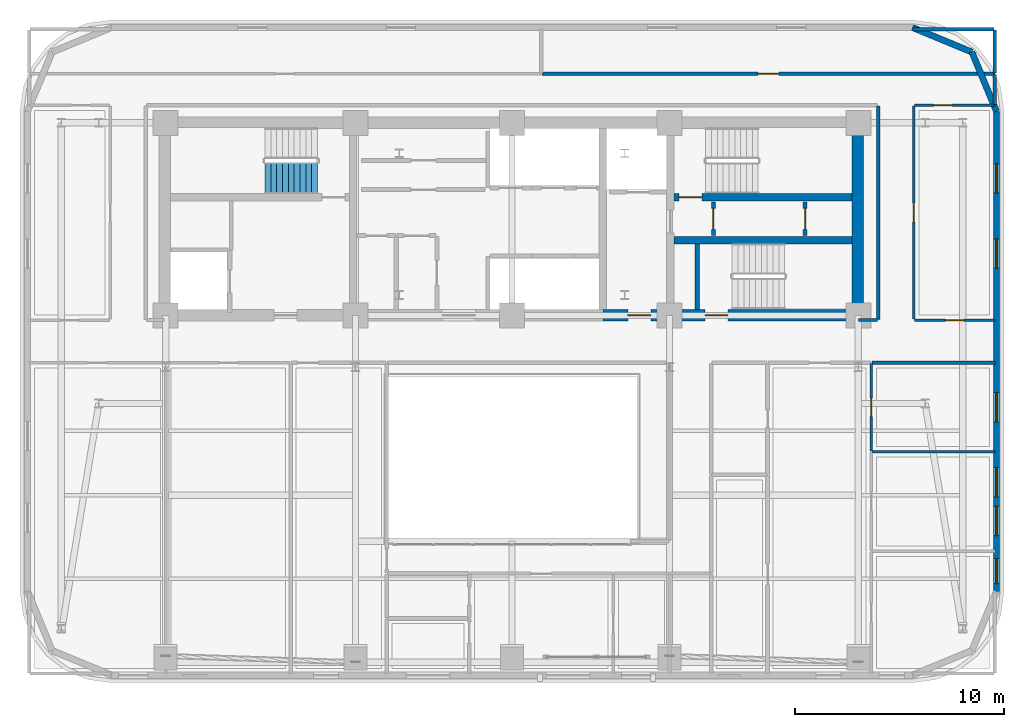
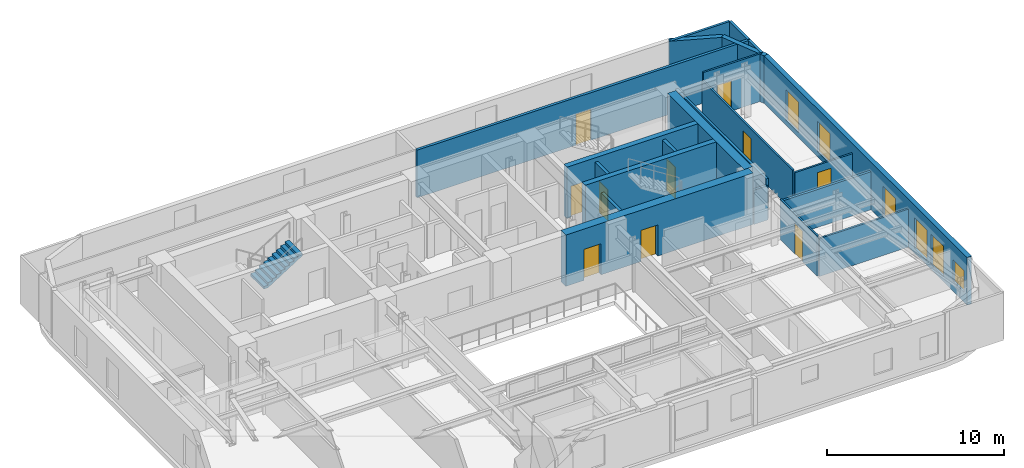
# One storey, part 9 of 13: 22 walls, 10 doors, 6 windows, 1 stair flight, 16 openings, 1 element without a shape of its own.
"""IFC4 building model written with IfcOpenShell, lengths in metres."""

from ifc_helpers import new_model, si_unit, direction, frame, frame_2d, origin, place, context, subcontext, project, spatial, polyline, rectangle, outline, extrude, material, layer, layer_set, type_object, element, fill, aggregate, save


model = new_model("IFC4")

# Units and contexts
model_context = context("Model", 3, precision=1e-05, world=origin(), true_north=direction((0.0, 1.0)))
body_context = subcontext(model_context, "Body", "Model", "MODEL_VIEW")
ifc_project = project(units=[si_unit("LENGTHUNIT", "METRE"), si_unit("AREAUNIT", "SQUARE_METRE"), si_unit("VOLUMEUNIT", "CUBIC_METRE"), si_unit("PLANEANGLEUNIT", "RADIAN"), si_unit("MASSUNIT", "GRAM", prefix="KILO")], contexts=[model_context])

# Site, building, storey
site_placement = place(None, origin())
site = spatial("IfcSite", under=ifc_project, at=site_placement, CompositionType="ELEMENT")
building_placement = place(site_placement, origin())
building = spatial("IfcBuilding", under=site, at=building_placement, Name="Zarnavel Station Tower", CompositionType="ELEMENT")
storey_placement = place(building_placement, frame((0.0, 0.0, 162.550048828125)))
storey = spatial("IfcBuildingStorey", under=building, at=storey_placement, Name="L44", CompositionType="ELEMENT", Elevation=162.550048828125)

# Wall, opening, door
ifc_material_1 = material(Name="Concrete C50/60", Category="concrete")
ifc_layer_1 = layer(ifc_material_1, 0.35009765625)
ifc_layer_set_1 = layer_set([ifc_layer_1], Name="CW_350")
wall_type_1 = type_object("IfcWallType", Name="CW_350", PredefinedType="SHEAR", material=ifc_layer_set_1)
wall_1_placement = place(storey_placement, frame((45.10498046875, 33.47998046875, 0.0), z_axis=(0.0, 0.0, 1.0), x_axis=(-1.0, 0.0, 0.0)))
wall_1 = element("IfcWall", 1, at=wall_1_placement, inside=storey, type_object=wall_type_1, Name="L44 Rear Core Shear Wall DIV-H2", PredefinedType="SHEAR", context=body_context, shape_type="SweptSolid", body=[
    extrude(rectangle(XDim=8.550048828125, YDim=0.35009765625, at=frame_2d((4.27490234375, 0.0))), origin(), (0.0, 0.0, 1.0), 3.550048828125),
])
opening_1_placement = place(wall_1_placement, frame((7.205078125, 0.0, 0.0)))
opening_1 = element("IfcOpeningElement", 2, at=opening_1_placement, cuts=wall_1, Name="Opening FD01", PredefinedType="OPENING", context=body_context, shape_type="SweptSolid", body=[
    extrude(rectangle(XDim=1.10009765625, YDim=2.14990234375, at=frame_2d((0.550048828125, 1.074951171875))), frame((0.0, 0.18505859375, 0.0), z_axis=(0.0, -1.0, 0.0), x_axis=(1.0, 0.0, 0.0)), (0.0, 0.0, 1.0), 0.3701171875),
])
ifc_material_2 = material(Name="Painted Galvanised Steel and Hardwood Leaf", Category="steel")
door_type_1 = type_object("IfcDoorType", Name="ID_STAIR_1100", OperationType="NOTDEFINED", PredefinedType="DOOR", material=ifc_material_2)
door_1_placement = place(opening_1_placement, origin())
door_1 = element("IfcDoor", 3, at=door_1_placement, inside=storey, type_object=door_type_1, Name="L44 Stair ST2 Lobby Fire Door", OperationType="SINGLE_SWING_RIGHT", OverallHeight=2.14990234375, OverallWidth=1.10009765625, PredefinedType="DOOR", context=body_context, shape_type="SweptSolid", body=[
    extrude(rectangle(XDim=1.10009765625, YDim=2.14990234375, at=frame_2d((0.550048828125, 1.074951171875))), frame((0.0, 0.02490234375, 0.0), z_axis=(0.0, -1.0, 0.0), x_axis=(1.0, 0.0, 0.0)), (0.0, 0.0, 1.0), 0.050048828125),
])
fill(opening_1, door_1)

# Wall
wall_2_placement = place(storey_placement, frame((36.554931640625, 31.419921875, 0.0), z_axis=(0.0, 0.0, 1.0), x_axis=(1.0, 0.0, 0.0)))
element("IfcWall", 4, at=wall_2_placement, inside=storey, type_object=wall_type_1, Name="L44 Rear Core Shear Wall DIV-H3", PredefinedType="SHEAR", context=body_context, shape_type="SweptSolid", body=[
    extrude(rectangle(XDim=8.550048828125, YDim=0.35009765625, at=frame_2d((4.27490234375, 0.0))), origin(), (0.0, 0.0, 1.0), 3.550048828125),
])

# Wall, openings, doors
ifc_material_3 = material(Name="Concrete C50/60", Category="concrete")
ifc_layer_2 = layer(ifc_material_3, 0.550048828125)
ifc_layer_set_2 = layer_set([ifc_layer_2], Name="CW_550")
wall_type_2 = type_object("IfcWallType", Name="CW_550", PredefinedType="SHEAR", material=ifc_layer_set_2)
wall_3_placement = place(storey_placement, frame((45.3798828125, 27.820068359375, 0.0), z_axis=(0.0, 0.0, 1.0), x_axis=(-1.0, 0.0, 0.0)))
wall_3 = element("IfcWall", 5, at=wall_3_placement, inside=storey, type_object=wall_type_2, Name="L44 Rear Core Shear Wall S-E", PredefinedType="SHEAR", context=body_context, shape_type="SweptSolid", body=[
    extrude(rectangle(XDim=12.22998046875, YDim=0.550048828125, at=frame_2d((6.114990234375, 0.0))), origin(), (0.0, 0.0, 1.0), 3.550048828125),
])
opening_2_placement = place(wall_3_placement, frame((9.929931640625, 0.0, 0.0)))
opening_2 = element("IfcOpeningElement", 6, at=opening_2_placement, cuts=wall_3, Name="Opening FD01", PredefinedType="OPENING", context=body_context, shape_type="SweptSolid", body=[
    extrude(rectangle(XDim=1.10009765625, YDim=2.14990234375, at=frame_2d((0.550048828125, 1.074951171875))), frame((0.0, 0.284912109375, 0.0), z_axis=(0.0, -1.0, 0.0), x_axis=(1.0, 0.0, 0.0)), (0.0, 0.0, 1.0), 0.570068359375),
])
opening_3_placement = place(wall_3_placement, frame((6.22998046875, 0.0, 0.0)))
opening_3 = element("IfcOpeningElement", 7, at=opening_3_placement, cuts=wall_3, Name="Opening FD01", PredefinedType="OPENING", context=body_context, shape_type="SweptSolid", body=[
    extrude(rectangle(XDim=1.10009765625, YDim=2.14990234375, at=frame_2d((0.550048828125, 1.074951171875))), frame((0.0, 0.284912109375, 0.0), z_axis=(0.0, -1.0, 0.0), x_axis=(1.0, 0.0, 0.0)), (0.0, 0.0, 1.0), 0.570068359375),
])
door_2_placement = place(opening_2_placement, origin())
door_2 = element("IfcDoor", 8, at=door_2_placement, inside=storey, type_object=door_type_1, Name="L44 East Firefighting Lobby Door", OperationType="SINGLE_SWING_LEFT", OverallHeight=2.14990234375, OverallWidth=1.10009765625, PredefinedType="DOOR", context=body_context, shape_type="SweptSolid", body=[
    extrude(rectangle(XDim=1.10009765625, YDim=2.14990234375, at=frame_2d((0.550048828125, 1.074951171875))), frame((0.0, 0.02490234375, 0.0), z_axis=(0.0, -1.0, 0.0), x_axis=(1.0, 0.0, 0.0)), (0.0, 0.0, 1.0), 0.050048828125),
])
fill(opening_2, door_2)
door_3_placement = place(opening_3_placement, origin())
door_3 = element("IfcDoor", 9, at=door_3_placement, inside=storey, type_object=door_type_1, Name="L44 Stair ST3 Corridor Fire Door", OperationType="SINGLE_SWING_RIGHT", OverallHeight=2.14990234375, OverallWidth=1.10009765625, PredefinedType="DOOR", context=body_context, shape_type="SweptSolid", body=[
    extrude(rectangle(XDim=1.10009765625, YDim=2.14990234375, at=frame_2d((0.550048828125, 1.074951171875))), frame((0.0, 0.02490234375, 0.0), z_axis=(0.0, -1.0, 0.0), x_axis=(1.0, 0.0, 0.0)), (0.0, 0.0, 1.0), 0.050048828125),
])
fill(opening_3, door_3)

# Wall
wall_4_placement = place(storey_placement, frame((45.3798828125, 28.094970703125, 0.0), z_axis=(0.0, 0.0, 1.0), x_axis=(0.0, 1.0, 0.0)))
element("IfcWall", 10, at=wall_4_placement, inside=storey, type_object=wall_type_2, Name="L44 Rear Core Shear Wall E", PredefinedType="SHEAR", context=body_context, shape_type="SweptSolid", body=[
    extrude(rectangle(XDim=8.679931640625, YDim=0.550048828125, at=frame_2d((4.33984375, 0.0))), origin(), (0.0, 0.0, 1.0), 3.550048828125),
])

# Wall, openings, windows
ifc_material_4 = material(Name="Precast concrete C45/55 (Dark Basalt Finish)", Category="masonry")
ifc_layer_3 = layer(ifc_material_4, 0.300048828125)
ifc_layer_set_3 = layer_set([ifc_layer_3], Name="EW_BASALT_300")
wall_type_3 = type_object("IfcWallType", Name="EW_BASALT_300", PredefinedType="SOLIDWALL", material=ifc_layer_set_3)
wall_5_placement = place(storey_placement, frame((52.02001953125, 37.60009765625, 0.0), z_axis=(0.0, 0.0, 1.0), x_axis=(0.0, -1.0, 0.0)))
wall_5 = element("IfcWall", 11, at=wall_5_placement, inside=storey, type_object=wall_type_3, Name="L44 Exterior Basalt Masonry Frame Wall 03", PredefinedType="SOLIDWALL", context=body_context, shape_type="SweptSolid", body=[
    extrude(rectangle(XDim=23.0, YDim=0.300048828125, at=frame_2d((11.5, 0.0))), origin(), (0.0, 0.0, 1.0), 3.2900390625),
])
opening_4_placement = place(wall_5_placement, frame((2.51318359375, 0.0, 0.340087890625)))
opening_4 = element("IfcOpeningElement", 12, at=opening_4_placement, cuts=wall_5, Name="Opening WN04", PredefinedType="OPENING", context=body_context, shape_type="SweptSolid", body=[
    extrude(rectangle(XDim=1.39990234375, YDim=2.10009765625, at=frame_2d((0.699951171875, 1.050048828125))), frame((0.0, 0.159912109375, 0.0), z_axis=(0.0, -1.0, 0.0), x_axis=(1.0, 0.0, 0.0)), (0.0, 0.0, 1.0), 0.320068359375),
])
opening_5_placement = place(wall_5_placement, frame((6.106689453125, 0.0, 0.340087890625)))
opening_5 = element("IfcOpeningElement", 13, at=opening_5_placement, cuts=wall_5, Name="Opening WN04", PredefinedType="OPENING", context=body_context, shape_type="SweptSolid", body=[
    extrude(rectangle(XDim=1.39990234375, YDim=2.10009765625, at=frame_2d((0.699951171875, 1.050048828125))), frame((0.0, 0.159912109375, 0.0), z_axis=(0.0, -1.0, 0.0), x_axis=(1.0, 0.0, 0.0)), (0.0, 0.0, 1.0), 0.320068359375),
])
opening_6_placement = place(wall_5_placement, frame((21.431396484375, 0.0, 0.679931640625)))
opening_6 = element("IfcOpeningElement", 14, at=opening_6_placement, cuts=wall_5, Name="Opening WN08", PredefinedType="OPENING", context=body_context, shape_type="SweptSolid", body=[
    extrude(rectangle(XDim=1.199951171875, YDim=1.5, at=frame_2d((0.60009765625, 0.75))), frame((0.0, 0.159912109375, 0.0), z_axis=(0.0, -1.0, 0.0), x_axis=(1.0, 0.0, 0.0)), (0.0, 0.0, 1.0), 0.320068359375),
])
opening_7_placement = place(wall_5_placement, frame((17.072998046875, 0.0, 0.340087890625)))
opening_7 = element("IfcOpeningElement", 15, at=opening_7_placement, cuts=wall_5, Name="Opening WN04", PredefinedType="OPENING", context=body_context, shape_type="SweptSolid", body=[
    extrude(rectangle(XDim=1.39990234375, YDim=2.10009765625, at=frame_2d((0.699951171875, 1.050048828125))), frame((0.0, 0.159912109375, 0.0), z_axis=(0.0, -1.0, 0.0), x_axis=(1.0, 0.0, 0.0)), (0.0, 0.0, 1.0), 0.320068359375),
])
opening_8_placement = place(wall_5_placement, frame((18.927978515625, 0.0, 0.340087890625)))
opening_8 = element("IfcOpeningElement", 16, at=opening_8_placement, cuts=wall_5, Name="Opening WN04", PredefinedType="OPENING", context=body_context, shape_type="SweptSolid", body=[
    extrude(rectangle(XDim=1.39990234375, YDim=2.10009765625, at=frame_2d((0.699951171875, 1.050048828125))), frame((0.0, 0.159912109375, 0.0), z_axis=(0.0, -1.0, 0.0), x_axis=(1.0, 0.0, 0.0)), (0.0, 0.0, 1.0), 0.320068359375),
])
opening_9_placement = place(wall_5_placement, frame((13.48388671875, 0.0, 0.340087890625)))
opening_9 = element("IfcOpeningElement", 17, at=opening_9_placement, cuts=wall_5, Name="Opening WN04", PredefinedType="OPENING", context=body_context, shape_type="SweptSolid", body=[
    extrude(rectangle(XDim=1.39990234375, YDim=2.10009765625, at=frame_2d((0.699951171875, 1.050048828125))), frame((0.0, 0.159912109375, 0.0), z_axis=(0.0, -1.0, 0.0), x_axis=(1.0, 0.0, 0.0)), (0.0, 0.0, 1.0), 0.320068359375),
])
ifc_material_5 = material(Name="Thermally Broken Black Aluminium and Low-E Dark Glass", Category="aluminium")
window_type_1 = type_object("IfcWindowType", Name="WN_1200x1500", PartitioningType="SINGLE_PANEL", PredefinedType="WINDOW", material=ifc_material_5)
window_1_placement = place(opening_6_placement, origin())
window_1 = element("IfcWindow", 18, at=window_1_placement, inside=storey, type_object=window_type_1, Name="L44 Recessed Facade Window 03", OverallHeight=1.5, OverallWidth=1.199951171875, PartitioningType="SINGLE_PANEL", PredefinedType="WINDOW", context=body_context, shape_type="SweptSolid", body=[
    extrude(rectangle(XDim=1.199951171875, YDim=1.5, at=frame_2d((0.60009765625, 0.75))), frame((0.0, 0.030029296875, 0.0), z_axis=(0.0, -1.0, 0.0), x_axis=(1.0, 0.0, 0.0)), (0.0, 0.0, 1.0), 0.06005859375),
])
fill(opening_6, window_1)
ifc_material_6 = material(Name="Thermally Broken Black Aluminium and Low-E Dark Glass", Category="aluminium")
window_type_2 = type_object("IfcWindowType", Name="WN_1400x2100", PartitioningType="DOUBLE_PANEL_VERTICAL", PredefinedType="WINDOW", material=ifc_material_6)
window_2_placement = place(opening_4_placement, origin())
window_2 = element("IfcWindow", 19, at=window_2_placement, inside=storey, type_object=window_type_2, Name="L44 Recessed Facade Window 01", OverallHeight=2.10009765625, OverallWidth=1.39990234375, PartitioningType="SINGLE_PANEL", PredefinedType="WINDOW", context=body_context, shape_type="SweptSolid", body=[
    extrude(rectangle(XDim=1.39990234375, YDim=2.10009765625, at=frame_2d((0.699951171875, 1.050048828125))), frame((0.0, 0.030029296875, 0.0), z_axis=(0.0, -1.0, 0.0), x_axis=(1.0, 0.0, 0.0)), (0.0, 0.0, 1.0), 0.06005859375),
])
fill(opening_4, window_2)
window_3_placement = place(opening_5_placement, origin())
window_3 = element("IfcWindow", 20, at=window_3_placement, inside=storey, type_object=window_type_2, Name="L44 Recessed Facade Window 02", OverallHeight=2.10009765625, OverallWidth=1.39990234375, PartitioningType="SINGLE_PANEL", PredefinedType="WINDOW", context=body_context, shape_type="SweptSolid", body=[
    extrude(rectangle(XDim=1.39990234375, YDim=2.10009765625, at=frame_2d((0.699951171875, 1.050048828125))), frame((0.0, 0.030029296875, 0.0), z_axis=(0.0, -1.0, 0.0), x_axis=(1.0, 0.0, 0.0)), (0.0, 0.0, 1.0), 0.06005859375),
])
fill(opening_5, window_3)
window_4_placement = place(opening_7_placement, origin())
window_4 = element("IfcWindow", 21, at=window_4_placement, inside=storey, type_object=window_type_2, Name="L44 Recessed Facade Window 04", OverallHeight=2.10009765625, OverallWidth=1.39990234375, PartitioningType="SINGLE_PANEL", PredefinedType="WINDOW", context=body_context, shape_type="SweptSolid", body=[
    extrude(rectangle(XDim=1.39990234375, YDim=2.10009765625, at=frame_2d((0.699951171875, 1.050048828125))), frame((0.0, 0.030029296875, 0.0), z_axis=(0.0, -1.0, 0.0), x_axis=(1.0, 0.0, 0.0)), (0.0, 0.0, 1.0), 0.06005859375),
])
fill(opening_7, window_4)
window_5_placement = place(opening_8_placement, origin())
window_5 = element("IfcWindow", 22, at=window_5_placement, inside=storey, type_object=window_type_2, Name="L44 Recessed Facade Window 05", OverallHeight=2.10009765625, OverallWidth=1.39990234375, PartitioningType="SINGLE_PANEL", PredefinedType="WINDOW", context=body_context, shape_type="SweptSolid", body=[
    extrude(rectangle(XDim=1.39990234375, YDim=2.10009765625, at=frame_2d((0.699951171875, 1.050048828125))), frame((0.0, 0.030029296875, 0.0), z_axis=(0.0, -1.0, 0.0), x_axis=(1.0, 0.0, 0.0)), (0.0, 0.0, 1.0), 0.06005859375),
])
fill(opening_8, window_5)
window_6_placement = place(opening_9_placement, origin())
window_6 = element("IfcWindow", 23, at=window_6_placement, inside=storey, type_object=window_type_2, Name="L44 Recessed Facade Window 06", OverallHeight=2.10009765625, OverallWidth=1.39990234375, PartitioningType="SINGLE_PANEL", PredefinedType="WINDOW", context=body_context, shape_type="SweptSolid", body=[
    extrude(rectangle(XDim=1.39990234375, YDim=2.10009765625, at=frame_2d((0.699951171875, 1.050048828125))), frame((0.0, 0.030029296875, 0.0), z_axis=(0.0, -1.0, 0.0), x_axis=(1.0, 0.0, 0.0)), (0.0, 0.0, 1.0), 0.06005859375),
])
fill(opening_9, window_6)

# Walls
for number, where, z_axis, x_axis, name in (
    (24, (50.842529296875, 40.442626953125, 0.0), (0.0, 0.0, 1.0), (0.382704529509, -0.923870793506, 0.0), "L44 Exterior Basalt Masonry Frame Wall 04"),
    (25, (48.0, 41.6201171875, 0.0), (0.0, 0.0, 1.0), (0.923870793506, -0.382704529509, 0.0), "L44 Exterior Basalt Masonry Frame Wall 05"),
):
    element("IfcWall", number, at=place(storey_placement, frame(where, z_axis=z_axis, x_axis=x_axis)), inside=storey, type_object=wall_type_3, Name=name, PredefinedType="SOLIDWALL", context=body_context, shape_type="SweptSolid", body=[
        extrude(rectangle(XDim=3.07666015625, YDim=0.300048828125, at=frame_2d((1.538330078125, 0.0))), origin(), (0.0, 0.0, 1.0), 3.2900390625),
    ])
ifc_material_7 = material(Name="Gypsum Twin-Stud Acoustic Fire Partition", Category="concrete")
ifc_layer_4 = layer(ifc_material_7, 0.159912109375)
ifc_layer_set_4 = layer_set([ifc_layer_4], Name="PT_DEMISE_160")
wall_type_4 = type_object("IfcWallType", Name="PT_DEMISE_160", PredefinedType="PARTITIONING", material=ifc_layer_set_4)
wall_6_placement = place(storey_placement, frame((46.06005859375, 25.550048828125, 0.0), z_axis=(0.0, 0.0, 1.0), x_axis=(1.0, 0.0, 0.0)))
element("IfcWall", 26, at=wall_6_placement, inside=storey, type_object=wall_type_4, Name="L44 Partition COR-S-UE1B3", PredefinedType="PARTITIONING", context=body_context, shape_type="SweptSolid", body=[
    extrude(rectangle(XDim=5.8798828125, YDim=0.159912109375, at=frame_2d((2.93994140625, 0.0))), origin(), (0.0, 0.0, 1.0), 2.619873046875),
])
wall_7_placement = place(storey_placement, frame((45.409912109375, 27.60009765625, 0.0), z_axis=(0.0, 0.0, 1.0), x_axis=(1.0, 0.0, 0.0)))
element("IfcWall", 27, at=wall_7_placement, inside=storey, type_object=wall_type_4, Name="L44 Enclosure Wall COR-S", PredefinedType="PARTITIONING", context=body_context, shape_type="SweptSolid", body=[
    extrude(rectangle(XDim=0.91015625, YDim=0.159912109375, at=frame_2d((0.455078125, 0.0))), origin(), (0.0, 0.0, 1.0), 2.35986328125),
])
wall_8_placement = place(storey_placement, frame((46.35009765625, 27.6298828125, 0.0), z_axis=(0.0, 0.0, 1.0), x_axis=(0.0, 1.0, 0.0)))
element("IfcWall", 28, at=wall_8_placement, inside=storey, type_object=wall_type_4, Name="L44 Enclosure Wall COR-E", PredefinedType="PARTITIONING", context=body_context, shape_type="SweptSolid", body=[
    extrude(rectangle(XDim=10.240234375, YDim=0.159912109375, at=frame_2d((5.1201171875, 0.0))), origin(), (0.0, 0.0, 1.0), 2.77001953125),
])
wall_9_placement = place(storey_placement, frame((51.93994140625, 37.929931640625, 0.0), z_axis=(0.0, 0.0, 1.0), x_axis=(0.0, 1.0, 0.0)))
element("IfcWall", 29, at=wall_9_placement, inside=storey, type_object=wall_type_4, Name="L44 Enclosure Wall COR-N", PredefinedType="PARTITIONING", context=body_context, shape_type="SweptSolid", body=[
    extrude(rectangle(XDim=1.440185546875, YDim=0.159912109375, at=frame_2d((0.72021484375, 0.0))), origin(), (0.0, 0.0, 1.0), 3.2900390625),
])
wall_10_placement = place(storey_placement, frame((48.030029296875, 41.5400390625, 0.0), z_axis=(0.0, 0.0, 1.0), x_axis=(1.0, 0.0, 0.0)))
element("IfcWall", 30, at=wall_10_placement, inside=storey, type_object=wall_type_4, Name="L44 Enclosure Wall NPAN", PredefinedType="PARTITIONING", context=body_context, shape_type="SweptSolid", body=[
    extrude(rectangle(XDim=3.8798828125, YDim=0.159912109375, at=frame_2d((1.93994140625, 0.0))), origin(), (0.0, 0.0, 1.0), 3.2900390625),
])
wall_11_placement = place(storey_placement, frame((51.93994140625, 39.429931640625, 0.0), z_axis=(0.0, 0.0, 1.0), x_axis=(0.0, 1.0, 0.0)))
element("IfcWall", 31, at=wall_11_placement, inside=storey, type_object=wall_type_4, Name="L44 Enclosure Wall NPAN", PredefinedType="PARTITIONING", context=body_context, shape_type="SweptSolid", body=[
    extrude(rectangle(XDim=2.080078125, YDim=0.159912109375, at=frame_2d((1.0400390625, 0.0))), origin(), (0.0, 0.0, 1.0), 3.2900390625),
])

# Wall, opening, door
ifc_material_8 = material(Name="Gypsum Metal-Stud Interior Partition", Category="concrete")
ifc_layer_5 = layer(ifc_material_8, 0.1201171875)
ifc_layer_set_5 = layer_set([ifc_layer_5], Name="PT_ROOM_120")
wall_type_5 = type_object("IfcWallType", Name="PT_ROOM_120", PredefinedType="PARTITIONING", material=ifc_layer_set_5)
wall_12_placement = place(storey_placement, frame((48.090087890625, 27.60009765625, 0.0), z_axis=(0.0, 0.0, 1.0), x_axis=(1.0, 0.0, 0.0)))
wall_12 = element("IfcWall", 32, at=wall_12_placement, inside=storey, type_object=wall_type_5, Name="L44 Partition COR-S-FNE", PredefinedType="PARTITIONING", context=body_context, shape_type="SweptSolid", body=[
    extrude(rectangle(XDim=3.849853515625, YDim=0.1201171875, at=frame_2d((1.9248046875, 0.0))), origin(), (0.0, 0.0, 1.0), 2.619873046875),
])
opening_10_placement = place(wall_12_placement, frame((1.47509765625, 0.0, 0.0)))
opening_10 = element("IfcOpeningElement", 33, at=opening_10_placement, cuts=wall_12, Name="Opening ID01", PredefinedType="OPENING", context=body_context, shape_type="SweptSolid", body=[
    extrude(rectangle(XDim=0.89990234375, YDim=2.10009765625, at=frame_2d((0.449951171875, 1.050048828125))), frame((0.0, 0.070068359375, 0.0), z_axis=(0.0, -1.0, 0.0), x_axis=(1.0, 0.0, 0.0)), (0.0, 0.0, 1.0), 0.14013671875),
])
ifc_material_9 = material(Name="Painted Galvanised Steel and Hardwood Leaf", Category="steel")
door_type_2 = type_object("IfcDoorType", Name="ID_ROOM_900", OperationType="NOTDEFINED", PredefinedType="DOOR", material=ifc_material_9)
door_4_placement = place(opening_10_placement, origin())
door_4 = element("IfcDoor", 34, at=door_4_placement, inside=storey, type_object=door_type_2, Name="L44 Door COR-S-FNE", OperationType="SINGLE_SWING_RIGHT", OverallHeight=2.10009765625, OverallWidth=0.89990234375, PredefinedType="DOOR", context=body_context, shape_type="SweptSolid", body=[
    extrude(rectangle(XDim=0.89990234375, YDim=2.10009765625, at=frame_2d((0.449951171875, 1.050048828125))), frame((0.0, 0.02490234375, 0.0), z_axis=(0.0, -1.0, 0.0), x_axis=(1.0, 0.0, 0.0)), (0.0, 0.0, 1.0), 0.050048828125),
])
fill(opening_10, door_4)

wall_13_placement = place(storey_placement, frame((48.050048828125, 27.639892578125, 0.0), z_axis=(0.0, 0.0, 1.0), x_axis=(0.0, 1.0, 0.0)))
wall_13 = element("IfcWall", 35, at=wall_13_placement, inside=storey, type_object=wall_type_5, Name="L44 Partition COR-E-FNE", PredefinedType="PARTITIONING", context=body_context, shape_type="SweptSolid", body=[
    extrude(rectangle(XDim=10.22021484375, YDim=0.1201171875, at=frame_2d((5.110107421875, 0.0))), origin(), (0.0, 0.0, 1.0), 2.77001953125),
])
opening_11_placement = place(wall_13_placement, frame((4.659912109375, 0.0, 0.0)))
opening_11 = element("IfcOpeningElement", 36, at=opening_11_placement, cuts=wall_13, Name="Opening ID01", PredefinedType="OPENING", context=body_context, shape_type="SweptSolid", body=[
    extrude(rectangle(XDim=0.89990234375, YDim=2.10009765625, at=frame_2d((0.449951171875, 1.050048828125))), frame((0.0, 0.070068359375, 0.0), z_axis=(0.0, -1.0, 0.0), x_axis=(1.0, 0.0, 0.0)), (0.0, 0.0, 1.0), 0.14013671875),
])
door_5_placement = place(opening_11_placement, origin())
door_5 = element("IfcDoor", 37, at=door_5_placement, inside=storey, type_object=door_type_2, Name="L44 Door COR-E-FNE", OperationType="SINGLE_SWING_RIGHT", OverallHeight=2.10009765625, OverallWidth=0.89990234375, PredefinedType="DOOR", context=body_context, shape_type="SweptSolid", body=[
    extrude(rectangle(XDim=0.89990234375, YDim=2.10009765625, at=frame_2d((0.449951171875, 1.050048828125))), frame((0.0, 0.02490234375, 0.0), z_axis=(0.0, -1.0, 0.0), x_axis=(1.0, 0.0, 0.0)), (0.0, 0.0, 1.0), 0.050048828125),
])
fill(opening_11, door_5)

wall_14_placement = place(storey_placement, frame((48.090087890625, 37.89990234375, 0.0), z_axis=(0.0, 0.0, 1.0), x_axis=(1.0, 0.0, 0.0)))
wall_14 = element("IfcWall", 38, at=wall_14_placement, inside=storey, type_object=wall_type_5, Name="L44 Partition COR-N-FNE", PredefinedType="PARTITIONING", context=body_context, shape_type="SweptSolid", body=[
    extrude(rectangle(XDim=3.849853515625, YDim=0.1201171875, at=frame_2d((1.9248046875, 0.0))), origin(), (0.0, 0.0, 1.0), 3.2900390625),
])
opening_12_placement = place(wall_14_placement, frame((0.918701171875, 0.0, 0.0)))
opening_12 = element("IfcOpeningElement", 39, at=opening_12_placement, cuts=wall_14, Name="Opening ID01", PredefinedType="OPENING", context=body_context, shape_type="SweptSolid", body=[
    extrude(rectangle(XDim=0.89990234375, YDim=2.10009765625, at=frame_2d((0.449951171875, 1.050048828125))), frame((0.0, 0.070068359375, 0.0), z_axis=(0.0, -1.0, 0.0), x_axis=(1.0, 0.0, 0.0)), (0.0, 0.0, 1.0), 0.14013671875),
])
door_6_placement = place(opening_12_placement, origin())
door_6 = element("IfcDoor", 40, at=door_6_placement, inside=storey, type_object=door_type_2, Name="L44 Door COR-N-FNE", OperationType="SINGLE_SWING_RIGHT", OverallHeight=2.10009765625, OverallWidth=0.89990234375, PredefinedType="DOOR", context=body_context, shape_type="SweptSolid", body=[
    extrude(rectangle(XDim=0.89990234375, YDim=2.10009765625, at=frame_2d((0.449951171875, 1.050048828125))), frame((0.0, 0.02490234375, 0.0), z_axis=(0.0, -1.0, 0.0), x_axis=(1.0, 0.0, 0.0)), (0.0, 0.0, 1.0), 0.050048828125),
])
fill(opening_12, door_6)

wall_15_placement = place(storey_placement, frame((46.02001953125, 21.322021484375, 0.0), z_axis=(0.0, 0.0, 1.0), x_axis=(0.0, 1.0, 0.0)))
wall_15 = element("IfcWall", 41, at=wall_15_placement, inside=storey, type_object=wall_type_5, Name="L44 Partition UE1LV-UE1B3", PredefinedType="PARTITIONING", context=body_context, shape_type="SweptSolid", body=[
    extrude(rectangle(XDim=4.18798828125, YDim=0.1201171875, at=frame_2d((2.093994140625, 0.0))), origin(), (0.0, 0.0, 1.0), 2.77001953125),
])
opening_13_placement = place(wall_15_placement, frame((1.64404296875, 0.0, 0.0)))
opening_13 = element("IfcOpeningElement", 42, at=opening_13_placement, cuts=wall_15, Name="Opening ID01", PredefinedType="OPENING", context=body_context, shape_type="SweptSolid", body=[
    extrude(rectangle(XDim=0.89990234375, YDim=2.10009765625, at=frame_2d((0.449951171875, 1.050048828125))), frame((0.0, 0.070068359375, 0.0), z_axis=(0.0, -1.0, 0.0), x_axis=(1.0, 0.0, 0.0)), (0.0, 0.0, 1.0), 0.14013671875),
])
door_7_placement = place(opening_13_placement, origin())
door_7 = element("IfcDoor", 43, at=door_7_placement, inside=storey, type_object=door_type_2, Name="L44 Door UE1LV-UE1B3", OperationType="SINGLE_SWING_RIGHT", OverallHeight=2.10009765625, OverallWidth=0.89990234375, PredefinedType="DOOR", context=body_context, shape_type="SweptSolid", body=[
    extrude(rectangle(XDim=0.89990234375, YDim=2.10009765625, at=frame_2d((0.449951171875, 1.050048828125))), frame((0.0, 0.02490234375, 0.0), z_axis=(0.0, -1.0, 0.0), x_axis=(1.0, 0.0, 0.0)), (0.0, 0.0, 1.0), 0.050048828125),
])
fill(opening_13, door_7)

# Walls
wall_16_placement = place(storey_placement, frame((46.06005859375, 21.281982421875, 0.0), z_axis=(0.0, 0.0, 1.0), x_axis=(1.0, 0.0, 0.0)))
element("IfcWall", 44, at=wall_16_placement, inside=storey, type_object=wall_type_5, Name="L44 Partition UE1B2-UE1B3", PredefinedType="PARTITIONING", context=body_context, shape_type="SweptSolid", body=[
    extrude(rectangle(XDim=5.8798828125, YDim=0.1201171875, at=frame_2d((2.93994140625, 0.0))), origin(), (0.0, 0.0, 1.0), 2.619873046875),
])
ifc_material_10 = material(Name="Precast concrete C45/55 (Fire Shaft Blockwork)", Category="masonry")
ifc_layer_6 = layer(ifc_material_10, 0.199951171875)
ifc_layer_set_6 = layer_set([ifc_layer_6], Name="PT_SHAFT_200")
wall_type_6 = type_object("IfcWallType", Name="PT_SHAFT_200", PredefinedType="PARTITIONING", material=ifc_layer_set_6)
wall_17_placement = place(storey_placement, frame((37.679931640625, 28.094970703125, 0.0), z_axis=(0.0, 0.0, 1.0), x_axis=(0.0, 1.0, 0.0)))
element("IfcWall", 45, at=wall_17_placement, inside=storey, type_object=wall_type_6, Name="L44 Stair ST3 West Shaft Wall", PredefinedType="PARTITIONING", context=body_context, shape_type="SweptSolid", body=[
    extrude(rectangle(XDim=3.155029296875, YDim=0.199951171875, at=frame_2d((1.57763671875, 0.0))), origin(), (0.0, 0.0, 1.0), 2.669921875),
])

# Wall, opening, door
wall_18_placement = place(storey_placement, frame((38.449951171875, 31.639892578125, 0.0), z_axis=(0.0, 0.0, 1.0), x_axis=(0.0, 1.0, 0.0)))
wall_18 = element("IfcWall", 46, at=wall_18_placement, inside=storey, type_object=wall_type_6, Name="L44 Partition ESTV-CEA", PredefinedType="PARTITIONING", context=body_context, shape_type="SweptSolid", body=[
    extrude(rectangle(XDim=1.6201171875, YDim=0.199951171875, at=frame_2d((0.81005859375, 0.0))), origin(), (0.0, 0.0, 1.0), 3.2900390625),
])
opening_14_placement = place(wall_18_placement, frame((0.31005859375, 0.0, 0.0)))
opening_14 = element("IfcOpeningElement", 47, at=opening_14_placement, cuts=wall_18, Name="Opening FD02", PredefinedType="OPENING", context=body_context, shape_type="SweptSolid", body=[
    extrude(rectangle(XDim=1.0, YDim=2.14990234375, at=frame_2d((0.5, 1.074951171875))), frame((0.0, 0.10986328125, 0.0), z_axis=(0.0, -1.0, 0.0), x_axis=(1.0, 0.0, 0.0)), (0.0, 0.0, 1.0), 0.219970703125),
])
ifc_material_11 = material(Name="Painted Galvanised Steel and Hardwood Leaf", Category="steel")
door_type_3 = type_object("IfcDoorType", Name="ID_ENTRY_1000", OperationType="NOTDEFINED", PredefinedType="DOOR", material=ifc_material_11)
door_8_placement = place(opening_14_placement, origin())
door_8 = element("IfcDoor", 48, at=door_8_placement, inside=storey, type_object=door_type_3, Name="L44 Door ESTV-CEA", OperationType="SINGLE_SWING_RIGHT", OverallHeight=2.14990234375, OverallWidth=1.0, PredefinedType="DOOR", context=body_context, shape_type="SweptSolid", body=[
    extrude(rectangle(XDim=1.0, YDim=2.14990234375, at=frame_2d((0.5, 1.074951171875))), frame((0.0, 0.02490234375, 0.0), z_axis=(0.0, -1.0, 0.0), x_axis=(1.0, 0.0, 0.0)), (0.0, 0.0, 1.0), 0.050048828125),
])
fill(opening_14, door_8)

wall_19_placement = place(storey_placement, frame((42.85009765625, 31.639892578125, 0.0), z_axis=(0.0, 0.0, 1.0), x_axis=(0.0, 1.0, 0.0)))
wall_19 = element("IfcWall", 49, at=wall_19_placement, inside=storey, type_object=wall_type_6, Name="L44 Partition CEA-CEB", PredefinedType="PARTITIONING", context=body_context, shape_type="SweptSolid", body=[
    extrude(rectangle(XDim=1.6201171875, YDim=0.199951171875, at=frame_2d((0.81005859375, 0.0))), origin(), (0.0, 0.0, 1.0), 3.2900390625),
])
opening_15_placement = place(wall_19_placement, frame((0.31005859375, 0.0, 0.0)))
opening_15 = element("IfcOpeningElement", 50, at=opening_15_placement, cuts=wall_19, Name="Opening FD02", PredefinedType="OPENING", context=body_context, shape_type="SweptSolid", body=[
    extrude(rectangle(XDim=1.0, YDim=2.14990234375, at=frame_2d((0.5, 1.074951171875))), frame((0.0, 0.10986328125, 0.0), z_axis=(0.0, -1.0, 0.0), x_axis=(1.0, 0.0, 0.0)), (0.0, 0.0, 1.0), 0.219970703125),
])
door_9_placement = place(opening_15_placement, origin())
door_9 = element("IfcDoor", 51, at=door_9_placement, inside=storey, type_object=door_type_3, Name="L44 Door CEA-CEB", OperationType="SINGLE_SWING_LEFT", OverallHeight=2.14990234375, OverallWidth=1.0, PredefinedType="DOOR", context=body_context, shape_type="SweptSolid", body=[
    extrude(rectangle(XDim=1.0, YDim=2.14990234375, at=frame_2d((0.5, 1.074951171875))), frame((0.0, 0.02490234375, 0.0), z_axis=(0.0, -1.0, 0.0), x_axis=(1.0, 0.0, 0.0)), (0.0, 0.0, 1.0), 0.050048828125),
])
fill(opening_15, door_9)

ifc_material_12 = material(Name="Moisture-Resistant Plumbing Chase Wall", Category="concrete")
ifc_layer_7 = layer(ifc_material_12, 0.179931640625)
ifc_layer_set_7 = layer_set([ifc_layer_7], Name="PW_PLUMB_180")
wall_type_7 = type_object("IfcWallType", Name="PW_PLUMB_180", PredefinedType="PLUMBINGWALL", material=ifc_layer_set_7)
wall_20_placement = place(storey_placement, frame((30.239990234375, 39.39990234375, 0.0), z_axis=(0.0, 0.0, 1.0), x_axis=(1.0, 0.0, 0.0)))
wall_20 = element("IfcWall", 52, at=wall_20_placement, inside=storey, type_object=wall_type_7, Name="L44 Partition COR-N-NPAN", PredefinedType="PLUMBINGWALL", context=body_context, shape_type="SweptSolid", body=[
    extrude(rectangle(XDim=21.699951171875, YDim=0.179931640625, at=frame_2d((10.85009765625, 0.0))), origin(), (0.0, 0.0, 1.0), 3.2900390625),
])
opening_16_placement = place(wall_20_placement, frame((10.35009765625, 0.0, 0.0)))
opening_16 = element("IfcOpeningElement", 53, at=opening_16_placement, cuts=wall_20, Name="Opening FD02", PredefinedType="OPENING", context=body_context, shape_type="SweptSolid", body=[
    extrude(rectangle(XDim=1.0, YDim=2.14990234375, at=frame_2d((0.5, 1.074951171875))), frame((0.0, 0.099853515625, 0.0), z_axis=(0.0, -1.0, 0.0), x_axis=(1.0, 0.0, 0.0)), (0.0, 0.0, 1.0), 0.199951171875),
])
door_10_placement = place(opening_16_placement, origin())
door_10 = element("IfcDoor", 54, at=door_10_placement, inside=storey, type_object=door_type_3, Name="L44 Door COR-N-NPAN", OperationType="SINGLE_SWING_RIGHT", OverallHeight=2.14990234375, OverallWidth=1.0, PredefinedType="DOOR", context=body_context, shape_type="SweptSolid", body=[
    extrude(rectangle(XDim=1.0, YDim=2.14990234375, at=frame_2d((0.5, 1.074951171875))), frame((0.0, 0.02490234375, 0.0), z_axis=(0.0, -1.0, 0.0), x_axis=(1.0, 0.0, 0.0)), (0.0, 0.0, 1.0), 0.050048828125),
])
fill(opening_16, door_10)

# Stair, stair flight
ifc_material_13 = material(Name="Concrete C45/55", Category="concrete")
stair_type = type_object("IfcStairType", Name="ST_CORE_150", PredefinedType="HALF_TURN_STAIR", material=ifc_material_13)
stair_placement = place(storey_placement, origin())
stair = element("IfcStair", 55, at=stair_placement, inside=storey, type_object=stair_type, Name="L44 Core Exit Stair ST1", PredefinedType="HALF_TURN_STAIR")
ifc_material_14 = material(Name="Concrete C45/55", Category="concrete")
ifc_layer_8 = layer(ifc_material_14, 0.179931640625)
ifc_layer_set_8 = layer_set([ifc_layer_8], Name="ST_CORE_150_FLT")
stair_flight_type = type_object("IfcStairFlightType", Name="ST_CORE_150_FLT", PredefinedType="STRAIGHT", material=ifc_layer_set_8)
stair_flight_placement = place(storey_placement, frame((16.9599609375, 34.409912109375, 1.77490234375), z_axis=(0.0, 0.0, 1.0), x_axis=(1.0, 0.0, 0.0)))
stair_flight = element("IfcStairFlight", 56, at=stair_flight_placement, type_object=stair_flight_type, Name="ST1 flight 2", NumberOfRisers=10, NumberOfTreads=9, PredefinedType="STRAIGHT", RiserHeight=0.1775, TreadLength=0.28, context=body_context, shape_type="SweptSolid", body=[
    extrude(outline(polyline([(0.0, 0.0), (0.0, 0.177490234375), (0.280029296875, 0.177490234375), (0.280029296875, 0.35498046875), (0.56005859375, 0.35498046875), (0.56005859375, 0.532470703125), (0.840087890625, 0.532470703125), (0.840087890625, 0.7099609375), (1.1201171875, 0.7099609375), (1.1201171875, 0.887451171875), (1.39990234375, 0.887451171875), (1.39990234375, 1.06494140625), (1.679931640625, 1.06494140625), (1.679931640625, 1.242431640625), (1.9599609375, 1.242431640625), (1.9599609375, 1.419921875), (2.239990234375, 1.419921875), (2.239990234375, 1.597412109375), (2.52001953125, 1.597412109375), (2.52001953125, 1.77490234375), (2.52001953125, 1.419921875), (0.280029296875, 0.0), (0.0, 0.0)])), frame((0.0, 0.75, 0.0), z_axis=(0.0, -1.0, 0.0), x_axis=(1.0, 0.0, 0.0)), (0.0, 0.0, 1.0), 1.5),
])
aggregate(stair, [stair_flight])

save(model, "model.ifc")
